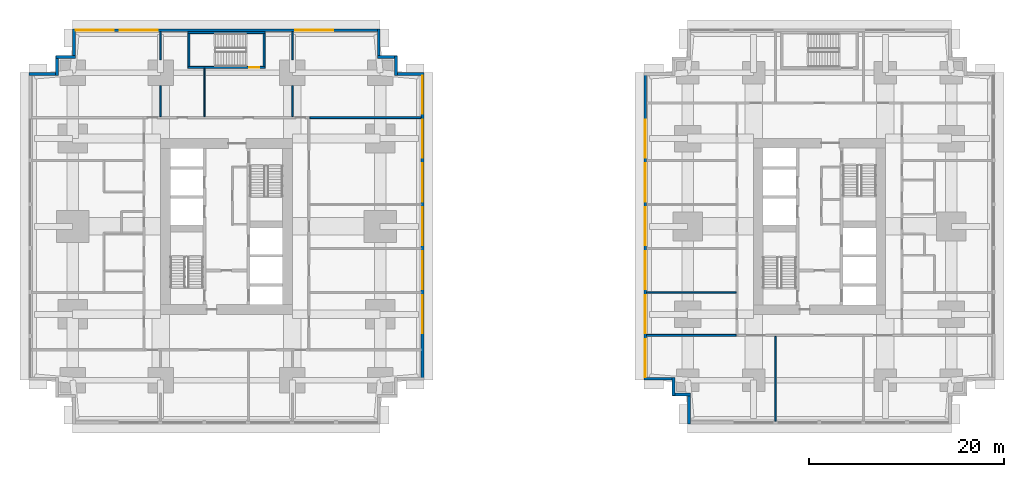
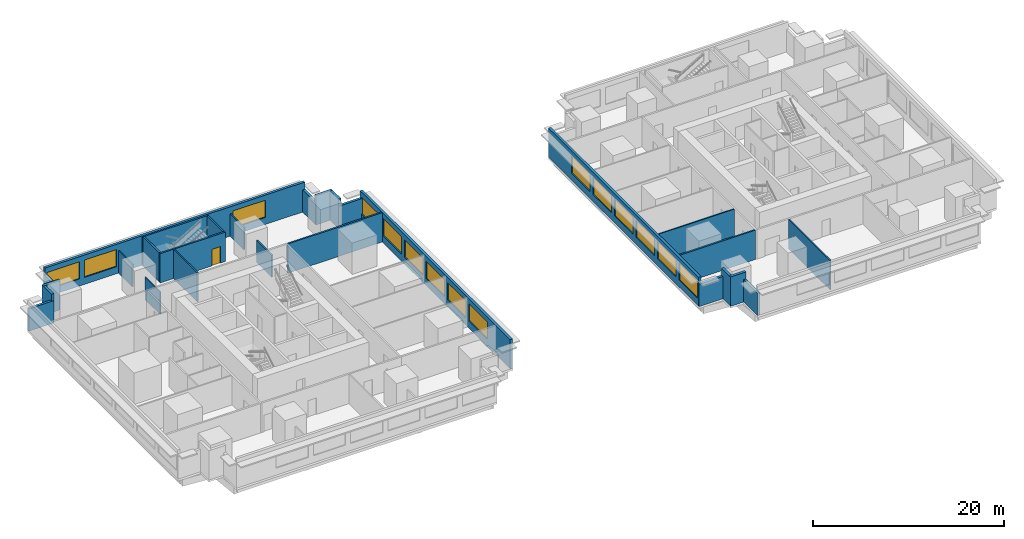
# One storey, part 5 of 11: 28 walls, 15 windows, 1 door, 16 openings.
"""IFC4 building model written with IfcOpenShell, lengths in metres."""

from ifc_helpers import new_model, si_unit, direction, frame, frame_2d, origin, place, context, subcontext, project, spatial, rectangle, extrude, material, layer, layer_set, type_object, element, fill, save


model = new_model("IFC4")

# Units and contexts
model_context = context("Model", 3, precision=1e-05, world=origin(), true_north=direction((0.0, 1.0)))
body_context = subcontext(model_context, "Body", "Model", "MODEL_VIEW")
ifc_project = project(units=[si_unit("LENGTHUNIT", "METRE"), si_unit("AREAUNIT", "SQUARE_METRE"), si_unit("VOLUMEUNIT", "CUBIC_METRE"), si_unit("PLANEANGLEUNIT", "RADIAN"), si_unit("MASSUNIT", "GRAM", prefix="KILO")], contexts=[model_context])

# Site, building, storey
site_placement = place(None, origin())
site = spatial("IfcSite", under=ifc_project, at=site_placement, CompositionType="ELEMENT")
building_placement = place(site_placement, origin())
building = spatial("IfcBuilding", under=site, at=building_placement, Name="Namib Vertical Campus", CompositionType="ELEMENT")
storey_placement = place(building_placement, frame((0.0, 0.0, 25.0)))
storey = spatial("IfcBuildingStorey", under=building, at=storey_placement, Name="L05", CompositionType="ELEMENT", Elevation=25.0)

# Walls
ifc_material_1 = material(Name="Concrete masonry", Category="masonry")
ifc_layer_1 = layer(ifc_material_1, 0.199951171875)
ifc_layer_set_1 = layer_set([ifc_layer_1], Name="Corridor wall 200")
wall_type_1 = type_object("IfcWallType", Name="Corridor wall 200", PredefinedType="SOLIDWALL", material=ifc_layer_set_1)
wall_1_placement = place(storey_placement, frame((28.800048828125, 31.39990234375, 0.0), z_axis=(0.0, 0.0, 1.0), x_axis=(1.0, 0.0, 0.0)))
element("IfcWall", 1, at=wall_1_placement, inside=storey, type_object=wall_type_1, Name="Partition A L05 BNE", PredefinedType="SOLIDWALL", context=body_context, shape_type="SweptSolid", body=[
    extrude(rectangle(XDim=11.39990234375, YDim=0.199951171875, at=frame_2d((5.699951171875, 0.0))), origin(), (0.0, 0.0, 1.0), 3.75),
])
wall_2_placement = place(storey_placement, frame((63.300048828125, 9.10009765625, 0.0), z_axis=(0.0, 0.0, 1.0), x_axis=(1.0, 0.0, 0.0)))
element("IfcWall", 2, at=wall_2_placement, inside=storey, type_object=wall_type_1, Name="Partition B L05 BSW", PredefinedType="SOLIDWALL", context=body_context, shape_type="SweptSolid", body=[
    extrude(rectangle(XDim=9.14990234375, YDim=0.199951171875, at=frame_2d((4.574951171875, 0.0))), origin(), (0.0, 0.0, 1.0), 3.75),
])

# Wall, openings, windows
ifc_material_2 = material(Name="Concrete C40/50", Category="concrete")
ifc_layer_2 = layer(ifc_material_2, 0.300048828125)
ifc_layer_set_2 = layer_set([ifc_layer_2], Name="Concrete C40/50")
wall_type_2 = type_object("IfcWallType", Name="External wall 300 board-marked concrete", PredefinedType="STANDARD", material=ifc_layer_set_2)
wall_3_placement = place(storey_placement, frame((40.35009765625, 4.52001953125, 0.0), z_axis=(0.0, 0.0, 1.0), x_axis=(0.0, 1.0, 0.0)))
wall_3 = element("IfcWall", 3, at=wall_3_placement, inside=storey, type_object=wall_type_2, Name="External wall L05 F06", PredefinedType="STANDARD", context=body_context, shape_type="SweptSolid", body=[
    extrude(rectangle(XDim=31.4599609375, YDim=0.300048828125, at=frame_2d((15.72998046875, 0.0))), origin(), (0.0, 0.0, 1.0), 3.75),
])
opening_1_placement = place(wall_3_placement, frame((4.780029296875, 0.0, 0.89990234375)))
opening_1 = element("IfcOpeningElement", 4, at=opening_1_placement, cuts=wall_3, Name="Opening W1", PredefinedType="OPENING", context=body_context, shape_type="SweptSolid", body=[
    extrude(rectangle(XDim=3.89990234375, YDim=2.199951171875, at=frame_2d((1.949951171875, 1.10009765625))), frame((0.0, 0.159912109375, 0.0), z_axis=(0.0, -1.0, 0.0), x_axis=(1.0, 0.0, 0.0)), (0.0, 0.0, 1.0), 0.320068359375),
])
opening_2_placement = place(wall_3_placement, frame((9.280029296875, 0.0, 0.89990234375)))
opening_2 = element("IfcOpeningElement", 5, at=opening_2_placement, cuts=wall_3, Name="Opening W1", PredefinedType="OPENING", context=body_context, shape_type="SweptSolid", body=[
    extrude(rectangle(XDim=3.89990234375, YDim=2.199951171875, at=frame_2d((1.949951171875, 1.10009765625))), frame((0.0, 0.159912109375, 0.0), z_axis=(0.0, -1.0, 0.0), x_axis=(1.0, 0.0, 0.0)), (0.0, 0.0, 1.0), 0.320068359375),
])
opening_3_placement = place(wall_3_placement, frame((13.780029296875, 0.0, 0.89990234375)))
opening_3 = element("IfcOpeningElement", 6, at=opening_3_placement, cuts=wall_3, Name="Opening W1", PredefinedType="OPENING", context=body_context, shape_type="SweptSolid", body=[
    extrude(rectangle(XDim=3.89990234375, YDim=2.199951171875, at=frame_2d((1.949951171875, 1.10009765625))), frame((0.0, 0.159912109375, 0.0), z_axis=(0.0, -1.0, 0.0), x_axis=(1.0, 0.0, 0.0)), (0.0, 0.0, 1.0), 0.320068359375),
])
opening_4_placement = place(wall_3_placement, frame((18.280029296875, 0.0, 0.89990234375)))
opening_4 = element("IfcOpeningElement", 7, at=opening_4_placement, cuts=wall_3, Name="Opening W1", PredefinedType="OPENING", context=body_context, shape_type="SweptSolid", body=[
    extrude(rectangle(XDim=3.89990234375, YDim=2.199951171875, at=frame_2d((1.949951171875, 1.10009765625))), frame((0.0, 0.159912109375, 0.0), z_axis=(0.0, -1.0, 0.0), x_axis=(1.0, 0.0, 0.0)), (0.0, 0.0, 1.0), 0.320068359375),
])
opening_5_placement = place(wall_3_placement, frame((22.780029296875, 0.0, 0.89990234375)))
opening_5 = element("IfcOpeningElement", 8, at=opening_5_placement, cuts=wall_3, Name="Opening W1", PredefinedType="OPENING", context=body_context, shape_type="SweptSolid", body=[
    extrude(rectangle(XDim=3.89990234375, YDim=2.199951171875, at=frame_2d((1.949951171875, 1.10009765625))), frame((0.0, 0.159912109375, 0.0), z_axis=(0.0, -1.0, 0.0), x_axis=(1.0, 0.0, 0.0)), (0.0, 0.0, 1.0), 0.320068359375),
])
opening_6_placement = place(wall_3_placement, frame((27.280029296875, 0.0, 0.89990234375)))
opening_6 = element("IfcOpeningElement", 9, at=opening_6_placement, cuts=wall_3, Name="Opening W1", PredefinedType="OPENING", context=body_context, shape_type="SweptSolid", body=[
    extrude(rectangle(XDim=3.89990234375, YDim=2.199951171875, at=frame_2d((1.949951171875, 1.10009765625))), frame((0.0, 0.159912109375, 0.0), z_axis=(0.0, -1.0, 0.0), x_axis=(1.0, 0.0, 0.0)), (0.0, 0.0, 1.0), 0.320068359375),
])
ifc_material_3 = material(Name="Dark tinted glass in black aluminium frame", Category="aluminium")
window_type = type_object("IfcWindowType", Name="Ribbon window 3900x2200", PartitioningType="SINGLE_PANEL", PredefinedType="WINDOW", material=ifc_material_3)
window_1_placement = place(opening_1_placement, origin())
window_1 = element("IfcWindow", 10, at=window_1_placement, inside=storey, type_object=window_type, Name="Window W1 L05 F06-2", OverallHeight=2.199951171875, OverallWidth=3.89990234375, PartitioningType="SINGLE_PANEL", PredefinedType="WINDOW", context=body_context, shape_type="SweptSolid", body=[
    extrude(rectangle(XDim=3.89990234375, YDim=2.199951171875, at=frame_2d((1.949951171875, 1.10009765625))), frame((0.0, 0.030029296875, 0.0), z_axis=(0.0, -1.0, 0.0), x_axis=(1.0, 0.0, 0.0)), (0.0, 0.0, 1.0), 0.06005859375),
])
fill(opening_1, window_1)
window_2_placement = place(opening_2_placement, origin())
window_2 = element("IfcWindow", 11, at=window_2_placement, inside=storey, type_object=window_type, Name="Window W1 L05 F06-3", OverallHeight=2.199951171875, OverallWidth=3.89990234375, PartitioningType="SINGLE_PANEL", PredefinedType="WINDOW", context=body_context, shape_type="SweptSolid", body=[
    extrude(rectangle(XDim=3.89990234375, YDim=2.199951171875, at=frame_2d((1.949951171875, 1.10009765625))), frame((0.0, 0.030029296875, 0.0), z_axis=(0.0, -1.0, 0.0), x_axis=(1.0, 0.0, 0.0)), (0.0, 0.0, 1.0), 0.06005859375),
])
fill(opening_2, window_2)
window_3_placement = place(opening_3_placement, origin())
window_3 = element("IfcWindow", 12, at=window_3_placement, inside=storey, type_object=window_type, Name="Window W1 L05 F06-4", OverallHeight=2.199951171875, OverallWidth=3.89990234375, PartitioningType="SINGLE_PANEL", PredefinedType="WINDOW", context=body_context, shape_type="SweptSolid", body=[
    extrude(rectangle(XDim=3.89990234375, YDim=2.199951171875, at=frame_2d((1.949951171875, 1.10009765625))), frame((0.0, 0.030029296875, 0.0), z_axis=(0.0, -1.0, 0.0), x_axis=(1.0, 0.0, 0.0)), (0.0, 0.0, 1.0), 0.06005859375),
])
fill(opening_3, window_3)
window_4_placement = place(opening_4_placement, origin())
window_4 = element("IfcWindow", 13, at=window_4_placement, inside=storey, type_object=window_type, Name="Window W1 L05 F06-5", OverallHeight=2.199951171875, OverallWidth=3.89990234375, PartitioningType="SINGLE_PANEL", PredefinedType="WINDOW", context=body_context, shape_type="SweptSolid", body=[
    extrude(rectangle(XDim=3.89990234375, YDim=2.199951171875, at=frame_2d((1.949951171875, 1.10009765625))), frame((0.0, 0.030029296875, 0.0), z_axis=(0.0, -1.0, 0.0), x_axis=(1.0, 0.0, 0.0)), (0.0, 0.0, 1.0), 0.06005859375),
])
fill(opening_4, window_4)
window_5_placement = place(opening_5_placement, origin())
window_5 = element("IfcWindow", 14, at=window_5_placement, inside=storey, type_object=window_type, Name="Window W1 L05 F06-6", OverallHeight=2.199951171875, OverallWidth=3.89990234375, PartitioningType="SINGLE_PANEL", PredefinedType="WINDOW", context=body_context, shape_type="SweptSolid", body=[
    extrude(rectangle(XDim=3.89990234375, YDim=2.199951171875, at=frame_2d((1.949951171875, 1.10009765625))), frame((0.0, 0.030029296875, 0.0), z_axis=(0.0, -1.0, 0.0), x_axis=(1.0, 0.0, 0.0)), (0.0, 0.0, 1.0), 0.06005859375),
])
fill(opening_5, window_5)
window_6_placement = place(opening_6_placement, origin())
window_6 = element("IfcWindow", 15, at=window_6_placement, inside=storey, type_object=window_type, Name="Window W1 L05 F06-7", OverallHeight=2.199951171875, OverallWidth=3.89990234375, PartitioningType="SINGLE_PANEL", PredefinedType="WINDOW", context=body_context, shape_type="SweptSolid", body=[
    extrude(rectangle(XDim=3.89990234375, YDim=2.199951171875, at=frame_2d((1.949951171875, 1.10009765625))), frame((0.0, 0.030029296875, 0.0), z_axis=(0.0, -1.0, 0.0), x_axis=(1.0, 0.0, 0.0)), (0.0, 0.0, 1.0), 0.06005859375),
])
fill(opening_6, window_6)

# Walls
wall_4_placement = place(storey_placement, frame((40.47998046875, 35.85009765625, 0.0), z_axis=(0.0, 0.0, 1.0), x_axis=(-1.0, 0.0, 0.0)))
element("IfcWall", 16, at=wall_4_placement, inside=storey, type_object=wall_type_2, Name="External wall L05 F07", PredefinedType="STANDARD", context=body_context, shape_type="SweptSolid", body=[
    extrude(rectangle(XDim=3.010009765625, YDim=0.300048828125, at=frame_2d((1.5048828125, 0.0))), origin(), (0.0, 0.0, 1.0), 2.85009765625),
])
for number, where, z_axis, x_axis, name in (
    (17, (37.60009765625, 35.719970703125, 0.0), (0.0, 0.0, 1.0), (0.0, 1.0, 0.0), "External wall L05 F08"),
    (18, (37.72998046875, 37.60009765625, 0.0), (0.0, 0.0, 1.0), (-1.0, 0.0, 0.0), "External wall L05 F09"),
):
    element("IfcWall", number, at=place(storey_placement, frame(where, z_axis=z_axis, x_axis=x_axis)), inside=storey, type_object=wall_type_2, Name=name, PredefinedType="STANDARD", context=body_context, shape_type="SweptSolid", body=[
        extrude(rectangle(XDim=2.010009765625, YDim=0.300048828125, at=frame_2d((1.0048828125, 0.0))), origin(), (0.0, 0.0, 1.0), 3.75),
    ])
wall_5_placement = place(storey_placement, frame((35.85009765625, 37.469970703125, 0.0), z_axis=(0.0, 0.0, 1.0), x_axis=(0.0, 1.0, 0.0)))
element("IfcWall", 19, at=wall_5_placement, inside=storey, type_object=wall_type_2, Name="External wall L05 F10", PredefinedType="STANDARD", context=body_context, shape_type="SweptSolid", body=[
    extrude(rectangle(XDim=3.010009765625, YDim=0.300048828125, at=frame_2d((1.5048828125, 0.0))), origin(), (0.0, 0.0, 1.0), 2.85009765625),
])

# Wall, openings, windows
wall_6_placement = place(storey_placement, frame((35.97998046875, 40.35009765625, 0.0), z_axis=(0.0, 0.0, 1.0), x_axis=(-1.0, 0.0, 0.0)))
wall_6 = element("IfcWall", 20, at=wall_6_placement, inside=storey, type_object=wall_type_2, Name="External wall L05 F11", PredefinedType="STANDARD", context=body_context, shape_type="SweptSolid", body=[
    extrude(rectangle(XDim=31.4599609375, YDim=0.300048828125, at=frame_2d((15.72998046875, 0.0))), origin(), (0.0, 0.0, 1.0), 3.75),
])
opening_7_placement = place(wall_6_placement, frame((27.280029296875, 0.0, 0.89990234375)))
opening_7 = element("IfcOpeningElement", 21, at=opening_7_placement, cuts=wall_6, Name="Opening W1", PredefinedType="OPENING", context=body_context, shape_type="SweptSolid", body=[
    extrude(rectangle(XDim=3.89990234375, YDim=2.199951171875, at=frame_2d((1.949951171875, 1.10009765625))), frame((0.0, 0.159912109375, 0.0), z_axis=(0.0, -1.0, 0.0), x_axis=(1.0, 0.0, 0.0)), (0.0, 0.0, 1.0), 0.320068359375),
])
opening_8_placement = place(wall_6_placement, frame((22.780029296875, 0.0, 0.89990234375)))
opening_8 = element("IfcOpeningElement", 22, at=opening_8_placement, cuts=wall_6, Name="Opening W1", PredefinedType="OPENING", context=body_context, shape_type="SweptSolid", body=[
    extrude(rectangle(XDim=3.89990234375, YDim=2.199951171875, at=frame_2d((1.949951171875, 1.10009765625))), frame((0.0, 0.159912109375, 0.0), z_axis=(0.0, -1.0, 0.0), x_axis=(1.0, 0.0, 0.0)), (0.0, 0.0, 1.0), 0.320068359375),
])
opening_9_placement = place(wall_6_placement, frame((4.780029296875, 0.0, 0.89990234375)))
opening_9 = element("IfcOpeningElement", 23, at=opening_9_placement, cuts=wall_6, Name="Opening W1", PredefinedType="OPENING", context=body_context, shape_type="SweptSolid", body=[
    extrude(rectangle(XDim=3.89990234375, YDim=2.199951171875, at=frame_2d((1.949951171875, 1.10009765625))), frame((0.0, 0.159912109375, 0.0), z_axis=(0.0, -1.0, 0.0), x_axis=(1.0, 0.0, 0.0)), (0.0, 0.0, 1.0), 0.320068359375),
])
window_7_placement = place(opening_7_placement, origin())
window_7 = element("IfcWindow", 24, at=window_7_placement, inside=storey, type_object=window_type, Name="Window W1 L05 F11-1", OverallHeight=2.199951171875, OverallWidth=3.89990234375, PartitioningType="SINGLE_PANEL", PredefinedType="WINDOW", context=body_context, shape_type="SweptSolid", body=[
    extrude(rectangle(XDim=3.89990234375, YDim=2.199951171875, at=frame_2d((1.949951171875, 1.10009765625))), frame((0.0, 0.030029296875, 0.0), z_axis=(0.0, -1.0, 0.0), x_axis=(1.0, 0.0, 0.0)), (0.0, 0.0, 1.0), 0.06005859375),
])
fill(opening_7, window_7)
window_8_placement = place(opening_8_placement, origin())
window_8 = element("IfcWindow", 25, at=window_8_placement, inside=storey, type_object=window_type, Name="Window W1 L05 F11-2", OverallHeight=2.199951171875, OverallWidth=3.89990234375, PartitioningType="SINGLE_PANEL", PredefinedType="WINDOW", context=body_context, shape_type="SweptSolid", body=[
    extrude(rectangle(XDim=3.89990234375, YDim=2.199951171875, at=frame_2d((1.949951171875, 1.10009765625))), frame((0.0, 0.030029296875, 0.0), z_axis=(0.0, -1.0, 0.0), x_axis=(1.0, 0.0, 0.0)), (0.0, 0.0, 1.0), 0.06005859375),
])
fill(opening_8, window_8)
window_9_placement = place(opening_9_placement, origin())
window_9 = element("IfcWindow", 26, at=window_9_placement, inside=storey, type_object=window_type, Name="Window W1 L05 F11-6", OverallHeight=2.199951171875, OverallWidth=3.89990234375, PartitioningType="SINGLE_PANEL", PredefinedType="WINDOW", context=body_context, shape_type="SweptSolid", body=[
    extrude(rectangle(XDim=3.89990234375, YDim=2.199951171875, at=frame_2d((1.949951171875, 1.10009765625))), frame((0.0, 0.030029296875, 0.0), z_axis=(0.0, -1.0, 0.0), x_axis=(1.0, 0.0, 0.0)), (0.0, 0.0, 1.0), 0.06005859375),
])
fill(opening_9, window_9)

# Walls
wall_7_placement = place(storey_placement, frame((4.64990234375, 40.47998046875, 0.0), z_axis=(0.0, 0.0, 1.0), x_axis=(0.0, -1.0, 0.0)))
element("IfcWall", 27, at=wall_7_placement, inside=storey, type_object=wall_type_2, Name="External wall L05 F12", PredefinedType="STANDARD", context=body_context, shape_type="SweptSolid", body=[
    extrude(rectangle(XDim=3.010009765625, YDim=0.300048828125, at=frame_2d((1.5048828125, 0.0))), origin(), (0.0, 0.0, 1.0), 2.85009765625),
])
for number, where, z_axis, x_axis, name in (
    (28, (4.780029296875, 37.60009765625, 0.0), (0.0, 0.0, 1.0), (-1.0, 0.0, 0.0), "External wall L05 F13"),
    (29, (2.89990234375, 37.72998046875, 0.0), (0.0, 0.0, 1.0), (0.0, -1.0, 0.0), "External wall L05 F14"),
):
    element("IfcWall", number, at=place(storey_placement, frame(where, z_axis=z_axis, x_axis=x_axis)), inside=storey, type_object=wall_type_2, Name=name, PredefinedType="STANDARD", context=body_context, shape_type="SweptSolid", body=[
        extrude(rectangle(XDim=2.010009765625, YDim=0.300048828125, at=frame_2d((1.0048828125, 0.0))), origin(), (0.0, 0.0, 1.0), 3.75),
    ])
wall_8_placement = place(storey_placement, frame((3.030029296875, 35.85009765625, 0.0), z_axis=(0.0, 0.0, 1.0), x_axis=(-1.0, 0.0, 0.0)))
element("IfcWall", 30, at=wall_8_placement, inside=storey, type_object=wall_type_2, Name="External wall L05 F15", PredefinedType="STANDARD", context=body_context, shape_type="SweptSolid", body=[
    extrude(rectangle(XDim=3.010009765625, YDim=0.300048828125, at=frame_2d((1.5048828125, 0.0))), origin(), (0.0, 0.0, 1.0), 2.85009765625),
])

# Wall, openings, windows
wall_9_placement = place(storey_placement, frame((63.14990234375, 35.97998046875, 0.0), z_axis=(0.0, 0.0, 1.0), x_axis=(0.0, -1.0, 0.0)))
wall_9 = element("IfcWall", 31, at=wall_9_placement, inside=storey, type_object=wall_type_2, Name="External wall L05 F16", PredefinedType="STANDARD", context=body_context, shape_type="SweptSolid", body=[
    extrude(rectangle(XDim=31.4599609375, YDim=0.300048828125, at=frame_2d((15.72998046875, 0.0))), origin(), (0.0, 0.0, 1.0), 3.75),
])
opening_10_placement = place(wall_9_placement, frame((27.280029296875, 0.0, 0.89990234375)))
opening_10 = element("IfcOpeningElement", 32, at=opening_10_placement, cuts=wall_9, Name="Opening W1", PredefinedType="OPENING", context=body_context, shape_type="SweptSolid", body=[
    extrude(rectangle(XDim=3.89990234375, YDim=2.199951171875, at=frame_2d((1.949951171875, 1.10009765625))), frame((0.0, 0.159912109375, 0.0), z_axis=(0.0, -1.0, 0.0), x_axis=(1.0, 0.0, 0.0)), (0.0, 0.0, 1.0), 0.320068359375),
])
opening_11_placement = place(wall_9_placement, frame((22.780029296875, 0.0, 0.89990234375)))
opening_11 = element("IfcOpeningElement", 33, at=opening_11_placement, cuts=wall_9, Name="Opening W1", PredefinedType="OPENING", context=body_context, shape_type="SweptSolid", body=[
    extrude(rectangle(XDim=3.89990234375, YDim=2.199951171875, at=frame_2d((1.949951171875, 1.10009765625))), frame((0.0, 0.159912109375, 0.0), z_axis=(0.0, -1.0, 0.0), x_axis=(1.0, 0.0, 0.0)), (0.0, 0.0, 1.0), 0.320068359375),
])
opening_12_placement = place(wall_9_placement, frame((18.280029296875, 0.0, 0.89990234375)))
opening_12 = element("IfcOpeningElement", 34, at=opening_12_placement, cuts=wall_9, Name="Opening W1", PredefinedType="OPENING", context=body_context, shape_type="SweptSolid", body=[
    extrude(rectangle(XDim=3.89990234375, YDim=2.199951171875, at=frame_2d((1.949951171875, 1.10009765625))), frame((0.0, 0.159912109375, 0.0), z_axis=(0.0, -1.0, 0.0), x_axis=(1.0, 0.0, 0.0)), (0.0, 0.0, 1.0), 0.320068359375),
])
opening_13_placement = place(wall_9_placement, frame((13.780029296875, 0.0, 0.89990234375)))
opening_13 = element("IfcOpeningElement", 35, at=opening_13_placement, cuts=wall_9, Name="Opening W1", PredefinedType="OPENING", context=body_context, shape_type="SweptSolid", body=[
    extrude(rectangle(XDim=3.89990234375, YDim=2.199951171875, at=frame_2d((1.949951171875, 1.10009765625))), frame((0.0, 0.159912109375, 0.0), z_axis=(0.0, -1.0, 0.0), x_axis=(1.0, 0.0, 0.0)), (0.0, 0.0, 1.0), 0.320068359375),
])
opening_14_placement = place(wall_9_placement, frame((9.280029296875, 0.0, 0.89990234375)))
opening_14 = element("IfcOpeningElement", 36, at=opening_14_placement, cuts=wall_9, Name="Opening W1", PredefinedType="OPENING", context=body_context, shape_type="SweptSolid", body=[
    extrude(rectangle(XDim=3.89990234375, YDim=2.199951171875, at=frame_2d((1.949951171875, 1.10009765625))), frame((0.0, 0.159912109375, 0.0), z_axis=(0.0, -1.0, 0.0), x_axis=(1.0, 0.0, 0.0)), (0.0, 0.0, 1.0), 0.320068359375),
])
opening_15_placement = place(wall_9_placement, frame((4.780029296875, 0.0, 0.89990234375)))
opening_15 = element("IfcOpeningElement", 37, at=opening_15_placement, cuts=wall_9, Name="Opening W1", PredefinedType="OPENING", context=body_context, shape_type="SweptSolid", body=[
    extrude(rectangle(XDim=3.89990234375, YDim=2.199951171875, at=frame_2d((1.949951171875, 1.10009765625))), frame((0.0, 0.159912109375, 0.0), z_axis=(0.0, -1.0, 0.0), x_axis=(1.0, 0.0, 0.0)), (0.0, 0.0, 1.0), 0.320068359375),
])
window_10_placement = place(opening_10_placement, origin())
window_10 = element("IfcWindow", 38, at=window_10_placement, inside=storey, type_object=window_type, Name="Window W1 L05 F16-1", OverallHeight=2.199951171875, OverallWidth=3.89990234375, PartitioningType="SINGLE_PANEL", PredefinedType="WINDOW", context=body_context, shape_type="SweptSolid", body=[
    extrude(rectangle(XDim=3.89990234375, YDim=2.199951171875, at=frame_2d((1.949951171875, 1.10009765625))), frame((0.0, 0.030029296875, 0.0), z_axis=(0.0, -1.0, 0.0), x_axis=(1.0, 0.0, 0.0)), (0.0, 0.0, 1.0), 0.06005859375),
])
fill(opening_10, window_10)
window_11_placement = place(opening_11_placement, origin())
window_11 = element("IfcWindow", 39, at=window_11_placement, inside=storey, type_object=window_type, Name="Window W1 L05 F16-2", OverallHeight=2.199951171875, OverallWidth=3.89990234375, PartitioningType="SINGLE_PANEL", PredefinedType="WINDOW", context=body_context, shape_type="SweptSolid", body=[
    extrude(rectangle(XDim=3.89990234375, YDim=2.199951171875, at=frame_2d((1.949951171875, 1.10009765625))), frame((0.0, 0.030029296875, 0.0), z_axis=(0.0, -1.0, 0.0), x_axis=(1.0, 0.0, 0.0)), (0.0, 0.0, 1.0), 0.06005859375),
])
fill(opening_11, window_11)
window_12_placement = place(opening_12_placement, origin())
window_12 = element("IfcWindow", 40, at=window_12_placement, inside=storey, type_object=window_type, Name="Window W1 L05 F16-3", OverallHeight=2.199951171875, OverallWidth=3.89990234375, PartitioningType="SINGLE_PANEL", PredefinedType="WINDOW", context=body_context, shape_type="SweptSolid", body=[
    extrude(rectangle(XDim=3.89990234375, YDim=2.199951171875, at=frame_2d((1.949951171875, 1.10009765625))), frame((0.0, 0.030029296875, 0.0), z_axis=(0.0, -1.0, 0.0), x_axis=(1.0, 0.0, 0.0)), (0.0, 0.0, 1.0), 0.06005859375),
])
fill(opening_12, window_12)
window_13_placement = place(opening_13_placement, origin())
window_13 = element("IfcWindow", 41, at=window_13_placement, inside=storey, type_object=window_type, Name="Window W1 L05 F16-4", OverallHeight=2.199951171875, OverallWidth=3.89990234375, PartitioningType="SINGLE_PANEL", PredefinedType="WINDOW", context=body_context, shape_type="SweptSolid", body=[
    extrude(rectangle(XDim=3.89990234375, YDim=2.199951171875, at=frame_2d((1.949951171875, 1.10009765625))), frame((0.0, 0.030029296875, 0.0), z_axis=(0.0, -1.0, 0.0), x_axis=(1.0, 0.0, 0.0)), (0.0, 0.0, 1.0), 0.06005859375),
])
fill(opening_13, window_13)
window_14_placement = place(opening_14_placement, origin())
window_14 = element("IfcWindow", 42, at=window_14_placement, inside=storey, type_object=window_type, Name="Window W1 L05 F16-5", OverallHeight=2.199951171875, OverallWidth=3.89990234375, PartitioningType="SINGLE_PANEL", PredefinedType="WINDOW", context=body_context, shape_type="SweptSolid", body=[
    extrude(rectangle(XDim=3.89990234375, YDim=2.199951171875, at=frame_2d((1.949951171875, 1.10009765625))), frame((0.0, 0.030029296875, 0.0), z_axis=(0.0, -1.0, 0.0), x_axis=(1.0, 0.0, 0.0)), (0.0, 0.0, 1.0), 0.06005859375),
])
fill(opening_14, window_14)
window_15_placement = place(opening_15_placement, origin())
window_15 = element("IfcWindow", 43, at=window_15_placement, inside=storey, type_object=window_type, Name="Window W1 L05 F16-6", OverallHeight=2.199951171875, OverallWidth=3.89990234375, PartitioningType="SINGLE_PANEL", PredefinedType="WINDOW", context=body_context, shape_type="SweptSolid", body=[
    extrude(rectangle(XDim=3.89990234375, YDim=2.199951171875, at=frame_2d((1.949951171875, 1.10009765625))), frame((0.0, 0.030029296875, 0.0), z_axis=(0.0, -1.0, 0.0), x_axis=(1.0, 0.0, 0.0)), (0.0, 0.0, 1.0), 0.06005859375),
])
fill(opening_15, window_15)

# Walls
wall_10_placement = place(storey_placement, frame((63.02001953125, 4.64990234375, 0.0), z_axis=(0.0, 0.0, 1.0), x_axis=(1.0, 0.0, 0.0)))
element("IfcWall", 44, at=wall_10_placement, inside=storey, type_object=wall_type_2, Name="External wall L05 F17", PredefinedType="STANDARD", context=body_context, shape_type="SweptSolid", body=[
    extrude(rectangle(XDim=3.159912109375, YDim=0.300048828125, at=frame_2d((1.580078125, 0.0))), origin(), (0.0, 0.0, 1.0), 2.85009765625),
])
for number, where, z_axis, x_axis, name in (
    (45, (66.050048828125, 4.780029296875, 0.0), (0.0, 0.0, 1.0), (0.0, -1.0, 0.0), "External wall L05 F18"),
    (46, (65.919921875, 3.050048828125, 0.0), (0.0, 0.0, 1.0), (1.0, 0.0, 0.0), "External wall L05 F19"),
):
    element("IfcWall", number, at=place(storey_placement, frame(where, z_axis=z_axis, x_axis=x_axis)), inside=storey, type_object=wall_type_2, Name=name, PredefinedType="STANDARD", context=body_context, shape_type="SweptSolid", body=[
        extrude(rectangle(XDim=1.860107421875, YDim=0.300048828125, at=frame_2d((0.93017578125, 0.0))), origin(), (0.0, 0.0, 1.0), 3.75),
    ])
wall_11_placement = place(storey_placement, frame((67.64990234375, 3.179931640625, 0.0), z_axis=(0.0, 0.0, 1.0), x_axis=(0.0, -1.0, 0.0)))
element("IfcWall", 47, at=wall_11_placement, inside=storey, type_object=wall_type_2, Name="External wall L05 F20", PredefinedType="STANDARD", context=body_context, shape_type="SweptSolid", body=[
    extrude(rectangle(XDim=3.159912109375, YDim=0.300048828125, at=frame_2d((1.580078125, 0.0))), origin(), (0.0, 0.0, 1.0), 2.85009765625),
])
ifc_material_4 = material(Name="Gypsum board on steel studs", Category="steel")
ifc_layer_3 = layer(ifc_material_4, 0.14990234375)
ifc_layer_set_3 = layer_set([ifc_layer_3], Name="Gypsum board on steel studs")
wall_type_3 = type_object("IfcWallType", Name="Partition 150", PredefinedType="PARTITIONING", material=ifc_layer_set_3)
wall_12_placement = place(storey_placement, frame((13.5, 31.5, 0.0), z_axis=(0.0, 0.0, 1.0), x_axis=(0.0, 1.0, 0.0)))
element("IfcWall", 48, at=wall_12_placement, inside=storey, type_object=wall_type_3, Name="Partition A L05 PN1", PredefinedType="PARTITIONING", context=body_context, shape_type="SweptSolid", body=[
    extrude(rectangle(XDim=3.179931640625, YDim=0.14990234375, at=frame_2d((1.58984375, 0.0))), origin(), (0.0, 0.0, 1.0), 2.85009765625),
])
wall_13_placement = place(storey_placement, frame((13.5, 37.320068359375, 0.0), z_axis=(0.0, 0.0, 1.0), x_axis=(0.0, 1.0, 0.0)))
element("IfcWall", 49, at=wall_13_placement, inside=storey, type_object=wall_type_3, Name="Partition A L05 PN1", PredefinedType="PARTITIONING", context=body_context, shape_type="SweptSolid", body=[
    extrude(rectangle(XDim=2.8798828125, YDim=0.14990234375, at=frame_2d((1.43994140625, 0.0))), origin(), (0.0, 0.0, 1.0), 2.85009765625),
])
wall_14_placement = place(storey_placement, frame((18.0, 31.5, 0.0), z_axis=(0.0, 0.0, 1.0), x_axis=(0.0, 1.0, 0.0)))
element("IfcWall", 50, at=wall_14_placement, inside=storey, type_object=wall_type_3, Name="Partition A L05 PN2", PredefinedType="PARTITIONING", context=body_context, shape_type="SweptSolid", body=[
    extrude(rectangle(XDim=4.949951171875, YDim=0.14990234375, at=frame_2d((2.47509765625, 0.0))), origin(), (0.0, 0.0, 1.0), 3.75),
])
wall_15_placement = place(storey_placement, frame((27.0, 31.5, 0.0), z_axis=(0.0, 0.0, 1.0), x_axis=(0.0, 1.0, 0.0)))
element("IfcWall", 51, at=wall_15_placement, inside=storey, type_object=wall_type_3, Name="Partition A L05 PN3", PredefinedType="PARTITIONING", context=body_context, shape_type="SweptSolid", body=[
    extrude(rectangle(XDim=3.179931640625, YDim=0.14990234375, at=frame_2d((1.58984375, 0.0))), origin(), (0.0, 0.0, 1.0), 2.85009765625),
])
wall_16_placement = place(storey_placement, frame((27.0, 37.320068359375, 0.0), z_axis=(0.0, 0.0, 1.0), x_axis=(0.0, 1.0, 0.0)))
element("IfcWall", 52, at=wall_16_placement, inside=storey, type_object=wall_type_3, Name="Partition A L05 PN3", PredefinedType="PARTITIONING", context=body_context, shape_type="SweptSolid", body=[
    extrude(rectangle(XDim=2.8798828125, YDim=0.14990234375, at=frame_2d((1.43994140625, 0.0))), origin(), (0.0, 0.0, 1.0), 2.85009765625),
])
wall_17_placement = place(storey_placement, frame((76.5, 0.300048828125, 0.0), z_axis=(0.0, 0.0, 1.0), x_axis=(0.0, 1.0, 0.0)))
element("IfcWall", 53, at=wall_17_placement, inside=storey, type_object=wall_type_3, Name="Partition B L05 PS1", PredefinedType="PARTITIONING", context=body_context, shape_type="SweptSolid", body=[
    extrude(rectangle(XDim=8.699951171875, YDim=0.14990234375, at=frame_2d((4.35009765625, 0.0))), origin(), (0.0, 0.0, 1.0), 3.75),
])
wall_18_placement = place(storey_placement, frame((63.300048828125, 13.5, 0.0), z_axis=(0.0, 0.0, 1.0), x_axis=(1.0, 0.0, 0.0)))
element("IfcWall", 54, at=wall_18_placement, inside=storey, type_object=wall_type_3, Name="Partition B L05 PW1", PredefinedType="PARTITIONING", context=body_context, shape_type="SweptSolid", body=[
    extrude(rectangle(XDim=9.14990234375, YDim=0.14990234375, at=frame_2d((4.574951171875, 0.0))), origin(), (0.0, 0.0, 1.0), 3.75),
])

# Wall, opening, door
ifc_material_5 = material(Name="Concrete C40/50", Category="concrete")
ifc_layer_4 = layer(ifc_material_5, 0.199951171875)
ifc_layer_set_4 = layer_set([ifc_layer_4], Name="Concrete C40/50")
wall_type_4 = type_object("IfcWallType", Name="Stair enclosure wall RC 200", PredefinedType="SOLIDWALL", material=ifc_layer_set_4)
wall_19_placement = place(storey_placement, frame((16.300048828125, 36.550048828125, 0.0), z_axis=(0.0, 0.0, 1.0), x_axis=(1.0, 0.0, 0.0)))
wall_19 = element("IfcWall", 55, at=wall_19_placement, inside=storey, type_object=wall_type_4, Name="Stair enclosure wall A-S3 L05 S", PredefinedType="SOLIDWALL", context=body_context, shape_type="SweptSolid", body=[
    extrude(rectangle(XDim=7.89990234375, YDim=0.199951171875, at=frame_2d((3.949951171875, 0.0))), origin(), (0.0, 0.0, 1.0), 3.75),
])
opening_16_placement = place(wall_19_placement, frame((6.300048828125, 0.0, 0.0)))
opening_16 = element("IfcOpeningElement", 56, at=opening_16_placement, cuts=wall_19, Name="Opening FD1", PredefinedType="OPENING", context=body_context, shape_type="SweptSolid", body=[
    extrude(rectangle(XDim=1.0, YDim=2.10009765625, at=frame_2d((0.5, 1.050048828125))), frame((0.0, 0.10986328125, 0.0), z_axis=(0.0, -1.0, 0.0), x_axis=(1.0, 0.0, 0.0)), (0.0, 0.0, 1.0), 0.219970703125),
])
ifc_material_6 = material(Name="Steel fire door", Category="steel")
door_type = type_object("IfcDoorType", Name="Fire door 1000x2100", OperationType="SINGLE_SWING_RIGHT", PredefinedType="DOOR", material=ifc_material_6)
door_placement = place(opening_16_placement, origin())
door = element("IfcDoor", 57, at=door_placement, inside=storey, type_object=door_type, Name="Stair door FD1 A L05 S3", OperationType="SINGLE_SWING_RIGHT", OverallHeight=2.10009765625, OverallWidth=1.0, PredefinedType="DOOR", context=body_context, shape_type="SweptSolid", body=[
    extrude(rectangle(XDim=1.0, YDim=2.10009765625, at=frame_2d((0.5, 1.050048828125))), frame((0.0, 0.02490234375, 0.0), z_axis=(0.0, -1.0, 0.0), x_axis=(1.0, 0.0, 0.0)), (0.0, 0.0, 1.0), 0.050048828125),
])
fill(opening_16, door)

# Walls
wall_20_placement = place(storey_placement, frame((16.300048828125, 40.10009765625, 0.0), z_axis=(0.0, 0.0, 1.0), x_axis=(1.0, 0.0, 0.0)))
element("IfcWall", 58, at=wall_20_placement, inside=storey, type_object=wall_type_4, Name="Stair enclosure wall A-S3 L05 N", PredefinedType="SOLIDWALL", context=body_context, shape_type="SweptSolid", body=[
    extrude(rectangle(XDim=7.89990234375, YDim=0.199951171875, at=frame_2d((3.949951171875, 0.0))), origin(), (0.0, 0.0, 1.0), 3.75),
])
for number, where, z_axis, x_axis, name in (
    (59, (16.39990234375, 36.64990234375, 0.0), (0.0, 0.0, 1.0), (0.0, 1.0, 0.0), "Stair enclosure wall A-S3 L05 W"),
    (60, (24.10009765625, 36.64990234375, 0.0), (0.0, 0.0, 1.0), (0.0, 1.0, 0.0), "Stair enclosure wall A-S3 L05 E"),
):
    element("IfcWall", number, at=place(storey_placement, frame(where, z_axis=z_axis, x_axis=x_axis)), inside=storey, type_object=wall_type_4, Name=name, PredefinedType="SOLIDWALL", context=body_context, shape_type="SweptSolid", body=[
        extrude(rectangle(XDim=3.35009765625, YDim=0.199951171875, at=frame_2d((1.675048828125, 0.0))), origin(), (0.0, 0.0, 1.0), 3.75),
    ])

save(model, "model.ifc")
